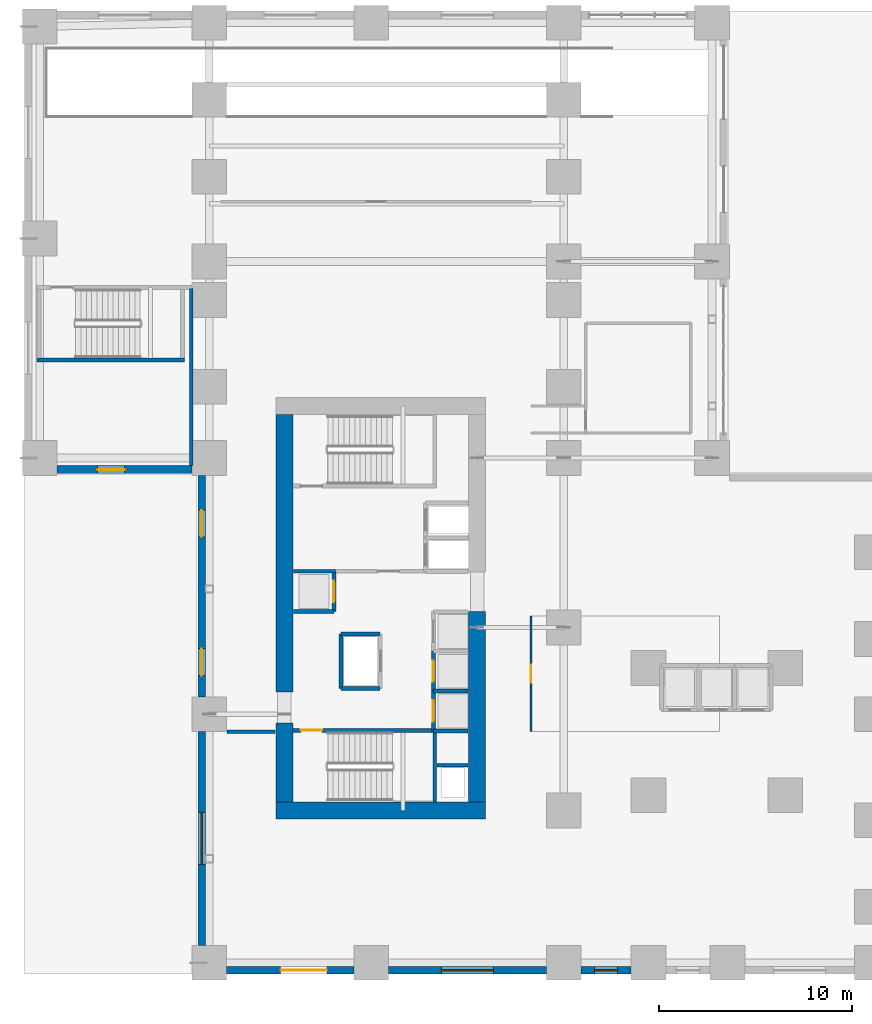
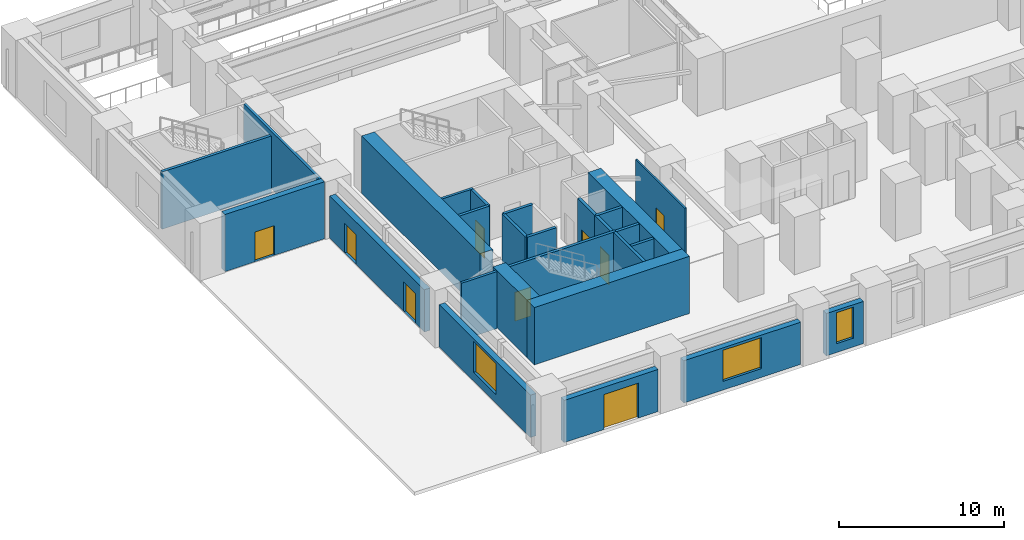
# One storey, part 13 of 23: 27 walls, 9 doors, 3 windows, 12 openings.
"""IFC4 building model written with IfcOpenShell, lengths in metres."""

from ifc_helpers import new_model, si_unit, direction, frame, frame_2d, origin, place, context, subcontext, project, spatial, rectangle, extrude, source, transform, mapped, material, layer, layer_set, type_object, element, fill, save


model = new_model("IFC4")

# Units and contexts
model_context = context("Model", 3, precision=1e-05, world=origin(), true_north=direction((0.0, 1.0)))
body_context = subcontext(model_context, "Body", "Model", "MODEL_VIEW")
ifc_project = project(units=[si_unit("LENGTHUNIT", "METRE"), si_unit("AREAUNIT", "SQUARE_METRE"), si_unit("VOLUMEUNIT", "CUBIC_METRE"), si_unit("PLANEANGLEUNIT", "RADIAN"), si_unit("MASSUNIT", "GRAM", prefix="KILO")], contexts=[model_context])

# Site, building, storey
site_placement = place(None, origin())
site = spatial("IfcSite", under=ifc_project, at=site_placement, CompositionType="ELEMENT")
building_placement = place(site_placement, origin())
building = spatial("IfcBuilding", under=site, at=building_placement, Name="Kharzan Plaza Tower", CompositionType="ELEMENT")
storey_placement = place(building_placement, origin())
storey = spatial("IfcBuildingStorey", under=building, at=storey_placement, Name="L00", CompositionType="ELEMENT", Elevation=0.0)

# Wall, opening, door
ifc_material_1 = material(Name="Fire-Rated Gypsum Board Partition", Category="gypsum")
ifc_layer_1 = layer(ifc_material_1, 0.125)
ifc_layer_set_1 = layer_set([ifc_layer_1], Name="Fire-Rated Gypsum Board Partition")
wall_type_1 = type_object("IfcWallType", Name="WL-INT-PART-125", PredefinedType="PARTITIONING", material=ifc_layer_set_1)
wall_1_placement = place(storey_placement, frame((17.300048828125, 12.60009765625, 0.0), z_axis=(0.0, 0.0, 1.0), x_axis=(0.0, 1.0, 0.0)))
wall_1 = element("IfcWall", 1, at=wall_1_placement, inside=storey, type_object=wall_type_1, Name="L00 Interior Partition L00-WLOB", PredefinedType="PARTITIONING", context=body_context, shape_type="SweptSolid", body=[
    extrude(rectangle(XDim=6.0, YDim=0.125, at=frame_2d((3.0, 0.0))), origin(), (0.0, 0.0, 1.0), 4.235107421875),
])
opening_1_placement = place(wall_1_placement, frame((2.52490234375, 0.0, 0.0)))
opening_1 = element("IfcOpeningElement", 2, at=opening_1_placement, cuts=wall_1, Name="Opening OD1", PredefinedType="OPENING", context=body_context, shape_type="SweptSolid", body=[
    extrude(rectangle(XDim=0.949951171875, YDim=2.14990234375, at=frame_2d((0.47509765625, 1.074951171875))), frame((0.0, 0.072509765625, 0.0), z_axis=(0.0, -1.0, 0.0), x_axis=(1.0, 0.0, 0.0)), (0.0, 0.0, 1.0), 0.14501953125),
])
ifc_material_2 = material(Name="Acoustic Solid-Core Stained Oak", Category="timber")
door_type_1 = type_object("IfcDoorType", Name="DR-OFF-SINGLE", OperationType="NOTDEFINED", PredefinedType="DOOR", material=ifc_material_2)
shared_shape_1 = source(origin(), body_context, "Body", "SweptSolid", [
    extrude(rectangle(XDim=0.949951171875, YDim=2.14990234375, at=frame_2d((0.47509765625, 1.074951171875))), frame((0.0, 0.02490234375, 0.0), z_axis=(0.0, -1.0, 0.0), x_axis=(1.0, 0.0, 0.0)), (0.0, 0.0, 1.0), 0.050048828125),
])
door_1_placement = place(opening_1_placement, origin())
door_1 = element("IfcDoor", 3, at=door_1_placement, inside=storey, type_object=door_type_1, Name="L00 Main Entrance Hall Door", OperationType="SINGLE_SWING_RIGHT", OverallHeight=2.14990234375, OverallWidth=0.949951171875, PredefinedType="DOOR", context=body_context, shape_type="MappedRepresentation", body=[
    mapped(shared_shape_1, transform((0.0, 0.0, 0.0), x_axis=(1.0, 0.0, 0.0), y_axis=(0.0, 1.0, 0.0), z_axis=(0.0, 0.0, 1.0))),
])
fill(opening_1, door_1)

ifc_material_3 = material(Name="Concrete C40/50", Category="concrete")
ifc_layer_2 = layer(ifc_material_3, 0.199951171875)
ifc_layer_set_2 = layer_set([ifc_layer_2], Name="Concrete C40/50")
wall_type_2 = type_object("IfcWallType", Name="WL-INT-SHAFT-200", PredefinedType="PARTITIONING", material=ifc_layer_set_2)
wall_2_placement = place(storey_placement, frame((12.22998046875, 12.6298828125, 0.0), z_axis=(0.0, 0.0, 1.0), x_axis=(0.0, 1.0, 0.0)))
wall_2 = element("IfcWall", 4, at=wall_2_placement, inside=storey, type_object=wall_type_2, Name="L00 Interior Partition SHF-PL-H1-W", PredefinedType="PARTITIONING", context=body_context, shape_type="SweptSolid", body=[
    extrude(rectangle(XDim=2.070068359375, YDim=0.199951171875, at=frame_2d((1.03515625, 0.0))), origin(), (0.0, 0.0, 1.0), 4.235107421875),
])
opening_2_placement = place(wall_2_placement, frame((0.485107421875, 0.0, 0.0)))
opening_2 = element("IfcOpeningElement", 5, at=opening_2_placement, cuts=wall_2, Name="Opening LD", PredefinedType="OPENING", context=body_context, shape_type="SweptSolid", body=[
    extrude(rectangle(XDim=1.10009765625, YDim=2.199951171875, at=frame_2d((0.550048828125, 1.10009765625))), frame((0.0, 0.10986328125, 0.0), z_axis=(0.0, -1.0, 0.0), x_axis=(1.0, 0.0, 0.0)), (0.0, 0.0, 1.0), 0.219970703125),
])
ifc_material_4 = material(Name="Brushed Stainless Steel", Category="steel")
door_type_2 = type_object("IfcDoorType", Name="DR-LIFT-SLIDE", OperationType="SLIDING_TO_LEFT", PredefinedType="DOOR", material=ifc_material_4)
shared_shape_2 = source(origin(), body_context, "Body", "SweptSolid", [
    extrude(rectangle(XDim=1.10009765625, YDim=2.199951171875, at=frame_2d((0.550048828125, 1.10009765625))), frame((0.0, 0.02490234375, 0.0), z_axis=(0.0, -1.0, 0.0), x_axis=(1.0, 0.0, 0.0)), (0.0, 0.0, 1.0), 0.050048828125),
])
door_2_placement = place(opening_2_placement, origin())
door_2 = element("IfcDoor", 6, at=door_2_placement, inside=storey, type_object=door_type_2, Name="L00 High-Rise Passenger Lift PL-H1 Sliding Landing Door", OperationType="SLIDING_TO_LEFT", OverallHeight=2.199951171875, OverallWidth=1.10009765625, PredefinedType="DOOR", context=body_context, shape_type="MappedRepresentation", body=[
    mapped(shared_shape_2, transform((0.0, 0.0, 0.0), x_axis=(1.0, 0.0, 0.0), y_axis=(0.0, 1.0, 0.0), z_axis=(0.0, 0.0, 1.0))),
])
fill(opening_2, door_2)

wall_3_placement = place(storey_placement, frame((12.22998046875, 14.699951171875, 0.0), z_axis=(0.0, 0.0, 1.0), x_axis=(0.0, 1.0, 0.0)))
wall_3 = element("IfcWall", 7, at=wall_3_placement, inside=storey, type_object=wall_type_2, Name="L00 Interior Partition SHF-PL-H2-W", PredefinedType="PARTITIONING", context=body_context, shape_type="SweptSolid", body=[
    extrude(rectangle(XDim=2.070068359375, YDim=0.199951171875, at=frame_2d((1.03515625, 0.0))), origin(), (0.0, 0.0, 1.0), 4.235107421875),
])
opening_3_placement = place(wall_3_placement, frame((0.485107421875, 0.0, 0.0)))
opening_3 = element("IfcOpeningElement", 8, at=opening_3_placement, cuts=wall_3, Name="Opening LD", PredefinedType="OPENING", context=body_context, shape_type="SweptSolid", body=[
    extrude(rectangle(XDim=1.10009765625, YDim=2.199951171875, at=frame_2d((0.550048828125, 1.10009765625))), frame((0.0, 0.10986328125, 0.0), z_axis=(0.0, -1.0, 0.0), x_axis=(1.0, 0.0, 0.0)), (0.0, 0.0, 1.0), 0.219970703125),
])
door_3_placement = place(opening_3_placement, origin())
door_3 = element("IfcDoor", 9, at=door_3_placement, inside=storey, type_object=door_type_2, Name="L00 High-Rise Passenger Lift PL-H2 Sliding Landing Door", OperationType="SLIDING_TO_LEFT", OverallHeight=2.199951171875, OverallWidth=1.10009765625, PredefinedType="DOOR", context=body_context, shape_type="MappedRepresentation", body=[
    mapped(shared_shape_2, transform((0.0, 0.0, 0.0), x_axis=(1.0, 0.0, 0.0), y_axis=(0.0, 1.0, 0.0), z_axis=(0.0, 0.0, 1.0))),
])
fill(opening_3, door_3)

wall_4_placement = place(storey_placement, frame((7.070068359375, 18.840087890625, 0.0), z_axis=(0.0, 0.0, 1.0), x_axis=(0.0, 1.0, 0.0)))
wall_4 = element("IfcWall", 10, at=wall_4_placement, inside=storey, type_object=wall_type_2, Name="L00 Interior Partition SHF-PL-H4-E", PredefinedType="PARTITIONING", context=body_context, shape_type="SweptSolid", body=[
    extrude(rectangle(XDim=2.059814453125, YDim=0.199951171875, at=frame_2d((1.02978515625, 0.0))), origin(), (0.0, 0.0, 1.0), 4.235107421875),
])
opening_4_placement = place(wall_4_placement, frame((0.47998046875, 0.0, 0.0)))
opening_4 = element("IfcOpeningElement", 11, at=opening_4_placement, cuts=wall_4, Name="Opening LD", PredefinedType="OPENING", context=body_context, shape_type="SweptSolid", body=[
    extrude(rectangle(XDim=1.10009765625, YDim=2.199951171875, at=frame_2d((0.550048828125, 1.10009765625))), frame((0.0, 0.10986328125, 0.0), z_axis=(0.0, -1.0, 0.0), x_axis=(1.0, 0.0, 0.0)), (0.0, 0.0, 1.0), 0.219970703125),
])
door_4_placement = place(opening_4_placement, origin())
door_4 = element("IfcDoor", 12, at=door_4_placement, inside=storey, type_object=door_type_2, Name="L00 High-Rise Passenger Lift PL-H4 Sliding Landing Door", OperationType="SLIDING_TO_LEFT", OverallHeight=2.199951171875, OverallWidth=1.10009765625, PredefinedType="DOOR", context=body_context, shape_type="MappedRepresentation", body=[
    mapped(shared_shape_2, transform((0.0, 0.0, 0.0), x_axis=(1.0, 0.0, 0.0), y_axis=(0.0, 1.0, 0.0), z_axis=(0.0, 0.0, 1.0))),
])
fill(opening_4, door_4)

ifc_layer_3 = layer(ifc_material_3, 0.39990234375)
ifc_layer_set_3 = layer_set([ifc_layer_3], Name="Concrete C40/50")
wall_type_3 = type_object("IfcWallType", Name="WL-POD-MAS-400", PredefinedType="SOLIDWALL", material=ifc_layer_set_3)
wall_5_placement = place(storey_placement, frame((-7.302001953125, 26.199951171875, 0.0), z_axis=(0.0, 0.0, 1.0), x_axis=(1.0, 0.0, 0.0)))
wall_5 = element("IfcWall", 13, at=wall_5_placement, inside=storey, type_object=wall_type_3, Name="L00 Masonry-Frame Exterior Wall 13", PredefinedType="SOLIDWALL", context=body_context, shape_type="SweptSolid", body=[
    extrude(rectangle(XDim=7.00390625, YDim=0.39990234375, at=frame_2d((3.501953125, 0.0))), origin(), (0.0, 0.0, 1.0), 4.235107421875),
])
opening_5_placement = place(wall_5_placement, frame((2.10205078125, 0.0, 0.0)))
opening_5 = element("IfcOpeningElement", 14, at=opening_5_placement, cuts=wall_5, Name="Opening ED4", PredefinedType="OPENING", context=body_context, shape_type="SweptSolid", body=[
    extrude(rectangle(XDim=1.39990234375, YDim=2.199951171875, at=frame_2d((0.699951171875, 1.10009765625))), frame((0.0, 0.2099609375, 0.0), z_axis=(0.0, -1.0, 0.0), x_axis=(1.0, 0.0, 0.0)), (0.0, 0.0, 1.0), 0.419921875),
])
ifc_material_5 = material(Name="Galvanized Acoustic Hollow Steel", Category="steel")
door_type_3 = type_object("IfcDoorType", Name="DR-EXT-EXIT-1400", OperationType="SINGLE_SWING_RIGHT", PredefinedType="DOOR", material=ifc_material_5)
shared_shape_3 = source(origin(), body_context, "Body", "SweptSolid", [
    extrude(rectangle(XDim=1.39990234375, YDim=2.199951171875, at=frame_2d((0.699951171875, 1.10009765625))), frame((0.0, 0.02490234375, 0.0), z_axis=(0.0, -1.0, 0.0), x_axis=(1.0, 0.0, 0.0)), (0.0, 0.0, 1.0), 0.050048828125),
])
door_5_placement = place(opening_5_placement, frame((1.39990234375, 0.0, 0.0), z_axis=(0.0, 0.0, 1.0), x_axis=(-1.0, 0.0, 0.0)))
door_5 = element("IfcDoor", 15, at=door_5_placement, inside=storey, type_object=door_type_3, Name="L00 Stair ST-4 Protected Forecourt Final Exit Door", OperationType="SINGLE_SWING_RIGHT", OverallHeight=2.199951171875, OverallWidth=1.39990234375, PredefinedType="DOOR", context=body_context, shape_type="MappedRepresentation", body=[
    mapped(shared_shape_3, transform((0.0, 0.0, 0.0), x_axis=(1.0, 0.0, 0.0), y_axis=(0.0, 1.0, 0.0), z_axis=(0.0, 0.0, 1.0))),
])
fill(opening_5, door_5)

# Wall, openings, doors
wall_6_placement = place(storey_placement, frame((0.199951171875, 25.902099609375, 0.0), z_axis=(0.0, 0.0, 1.0), x_axis=(0.0, -1.0, 0.0)))
wall_6 = element("IfcWall", 16, at=wall_6_placement, inside=storey, type_object=wall_type_3, Name="L00 Masonry-Frame Exterior Wall 14", PredefinedType="SOLIDWALL", context=body_context, shape_type="SweptSolid", body=[
    extrude(rectangle(XDim=11.504150390625, YDim=0.39990234375, at=frame_2d((5.751953125, 0.0))), origin(), (0.0, 0.0, 1.0), 3.135009765625),
])
opening_6_placement = place(wall_6_placement, frame((1.802001953125, 0.0, 0.0)))
opening_6 = element("IfcOpeningElement", 17, at=opening_6_placement, cuts=wall_6, Name="Opening ED4", PredefinedType="OPENING", context=body_context, shape_type="SweptSolid", body=[
    extrude(rectangle(XDim=1.39990234375, YDim=2.199951171875, at=frame_2d((0.699951171875, 1.10009765625))), frame((0.0, 0.2099609375, 0.0), z_axis=(0.0, -1.0, 0.0), x_axis=(1.0, 0.0, 0.0)), (0.0, 0.0, 1.0), 0.419921875),
])
opening_7_placement = place(wall_6_placement, frame((9.001953125, 0.0, 0.0)))
opening_7 = element("IfcOpeningElement", 18, at=opening_7_placement, cuts=wall_6, Name="Opening ED4", PredefinedType="OPENING", context=body_context, shape_type="SweptSolid", body=[
    extrude(rectangle(XDim=1.39990234375, YDim=2.199951171875, at=frame_2d((0.699951171875, 1.10009765625))), frame((0.0, 0.2099609375, 0.0), z_axis=(0.0, -1.0, 0.0), x_axis=(1.0, 0.0, 0.0)), (0.0, 0.0, 1.0), 0.419921875),
])
door_6_placement = place(opening_6_placement, frame((1.39990234375, 0.0, 0.0), z_axis=(0.0, 0.0, 1.0), x_axis=(-1.0, 0.0, 0.0)))
door_6 = element("IfcDoor", 19, at=door_6_placement, inside=storey, type_object=door_type_3, Name="L00 Stair ST-2 Protected West Final Exit Door", OperationType="SINGLE_SWING_RIGHT", OverallHeight=2.199951171875, OverallWidth=1.39990234375, PredefinedType="DOOR", context=body_context, shape_type="MappedRepresentation", body=[
    mapped(shared_shape_3, transform((0.0, 0.0, 0.0), x_axis=(1.0, 0.0, 0.0), y_axis=(0.0, 1.0, 0.0), z_axis=(0.0, 0.0, 1.0))),
])
fill(opening_6, door_6)
door_7_placement = place(opening_7_placement, frame((1.39990234375, 0.0, 0.0), z_axis=(0.0, 0.0, 1.0), x_axis=(-1.0, 0.0, 0.0)))
door_7 = element("IfcDoor", 20, at=door_7_placement, inside=storey, type_object=door_type_3, Name="L00 Stair ST-1 Protected West Final Exit Door", OperationType="SINGLE_SWING_RIGHT", OverallHeight=2.199951171875, OverallWidth=1.39990234375, PredefinedType="DOOR", context=body_context, shape_type="MappedRepresentation", body=[
    mapped(shared_shape_3, transform((0.0, 0.0, 0.0), x_axis=(1.0, 0.0, 0.0), y_axis=(0.0, 1.0, 0.0), z_axis=(0.0, 0.0, 1.0))),
])
fill(opening_7, door_7)

# Wall, opening, window
wall_7_placement = place(storey_placement, frame((0.199951171875, 12.60205078125, 0.0), z_axis=(0.0, 0.0, 1.0), x_axis=(0.0, -1.0, 0.0)))
wall_7 = element("IfcWall", 21, at=wall_7_placement, inside=storey, type_object=wall_type_3, Name="L00 Masonry-Frame Exterior Wall 15", PredefinedType="SOLIDWALL", context=body_context, shape_type="SweptSolid", body=[
    extrude(rectangle(XDim=11.10400390625, YDim=0.39990234375, at=frame_2d((5.552001953125, 0.0))), origin(), (0.0, 0.0, 1.0), 3.135009765625),
])
opening_8_placement = place(wall_7_placement, frame((4.201904296875, 0.0, 0.64990234375)))
opening_8 = element("IfcOpeningElement", 22, at=opening_8_placement, cuts=wall_7, Name="Opening W4", PredefinedType="OPENING", context=body_context, shape_type="SweptSolid", body=[
    extrude(rectangle(XDim=2.699951171875, YDim=2.304931640625, at=frame_2d((1.35009765625, 1.15234375))), frame((0.0, 0.2099609375, 0.0), z_axis=(0.0, -1.0, 0.0), x_axis=(1.0, 0.0, 0.0)), (0.0, 0.0, 1.0), 0.419921875),
])
ifc_material_6 = material(Name="Low-E Double Glazing", Category="glass")
window_type_1 = type_object("IfcWindowType", Name="WN-POD-2700x2600", PartitioningType="SINGLE_PANEL", PredefinedType="WINDOW", material=ifc_material_6)
shared_shape_4 = source(origin(), body_context, "Body", "SweptSolid", [
    extrude(rectangle(XDim=2.699951171875, YDim=2.304931640625, at=frame_2d((1.35009765625, 1.15234375))), frame((0.0, 0.030029296875, 0.0), z_axis=(0.0, -1.0, 0.0), x_axis=(1.0, 0.0, 0.0)), (0.0, 0.0, 1.0), 0.06005859375),
])
window_1_placement = place(opening_8_placement, origin())
window_1 = element("IfcWindow", 23, at=window_1_placement, inside=storey, type_object=window_type_1, Name="L00 Recessed Solar-Control Window 15-1", OverallHeight=2.304931640625, OverallWidth=2.699951171875, PartitioningType="SINGLE_PANEL", PredefinedType="WINDOW", context=body_context, shape_type="MappedRepresentation", body=[
    mapped(shared_shape_4, transform((0.0, 0.0, 0.0), x_axis=(1.0, 0.0, 0.0), y_axis=(0.0, 1.0, 0.0), z_axis=(0.0, 0.0, 1.0))),
])
fill(opening_8, window_1)

# Wall, opening, door
wall_8_placement = place(storey_placement, frame((1.498046875, 0.199951171875, 0.0), z_axis=(0.0, 0.0, 1.0), x_axis=(1.0, 0.0, 0.0)))
wall_8 = element("IfcWall", 24, at=wall_8_placement, inside=storey, type_object=wall_type_3, Name="L00 Masonry-Frame Exterior Wall 16", PredefinedType="SOLIDWALL", context=body_context, shape_type="SweptSolid", body=[
    extrude(rectangle(XDim=6.60400390625, YDim=0.39990234375, at=frame_2d((3.302001953125, 0.0))), origin(), (0.0, 0.0, 1.0), 3.135009765625),
])
opening_9_placement = place(wall_8_placement, frame((2.802001953125, 0.0, 0.0)))
opening_9 = element("IfcOpeningElement", 25, at=opening_9_placement, cuts=wall_8, Name="Opening ED1", PredefinedType="OPENING", context=body_context, shape_type="SweptSolid", body=[
    extrude(rectangle(XDim=2.39990234375, YDim=2.60009765625, at=frame_2d((1.199951171875, 1.300048828125))), frame((0.0, 0.2099609375, 0.0), z_axis=(0.0, -1.0, 0.0), x_axis=(1.0, 0.0, 0.0)), (0.0, 0.0, 1.0), 0.419921875),
])
ifc_material_7 = material(Name="Thermally Broken Anodized Bronze Aluminium", Category="aluminium")
door_type_4 = type_object("IfcDoorType", Name="DR-EXT-LOBBY-2400", OperationType="DOUBLE_SWING_LEFT", PredefinedType="DOOR", material=ifc_material_7)
shared_shape_5 = source(origin(), body_context, "Body", "SweptSolid", [
    extrude(rectangle(XDim=2.39990234375, YDim=2.60009765625, at=frame_2d((1.199951171875, 1.300048828125))), frame((0.0, 0.02490234375, 0.0), z_axis=(0.0, -1.0, 0.0), x_axis=(1.0, 0.0, 0.0)), (0.0, 0.0, 1.0), 0.050048828125),
])
door_8_placement = place(opening_9_placement, origin())
door_8 = element("IfcDoor", 26, at=door_8_placement, inside=storey, type_object=door_type_4, Name="L00 South Plaza Main Entrance Door", OperationType="DOUBLE_SWING_LEFT", OverallHeight=2.60009765625, OverallWidth=2.39990234375, PredefinedType="DOOR", context=body_context, shape_type="MappedRepresentation", body=[
    mapped(shared_shape_5, transform((0.0, 0.0, 0.0), x_axis=(1.0, 0.0, 0.0), y_axis=(0.0, 1.0, 0.0), z_axis=(0.0, 0.0, 1.0))),
])
fill(opening_9, door_8)

# Wall, opening, window
wall_9_placement = place(storey_placement, frame((9.89794921875, 0.199951171875, 0.0), z_axis=(0.0, 0.0, 1.0), x_axis=(1.0, 0.0, 0.0)))
wall_9 = element("IfcWall", 27, at=wall_9_placement, inside=storey, type_object=wall_type_3, Name="L00 Masonry-Frame Exterior Wall 17", PredefinedType="SOLIDWALL", context=body_context, shape_type="SweptSolid", body=[
    extrude(rectangle(XDim=8.2041015625, YDim=0.39990234375, at=frame_2d((4.10205078125, 0.0))), origin(), (0.0, 0.0, 1.0), 3.135009765625),
])
opening_10_placement = place(wall_9_placement, frame((2.751953125, 0.0, 0.64990234375)))
opening_10 = element("IfcOpeningElement", 28, at=opening_10_placement, cuts=wall_9, Name="Opening W4", PredefinedType="OPENING", context=body_context, shape_type="SweptSolid", body=[
    extrude(rectangle(XDim=2.699951171875, YDim=2.304931640625, at=frame_2d((1.35009765625, 1.15234375))), frame((0.0, 0.2099609375, 0.0), z_axis=(0.0, -1.0, 0.0), x_axis=(1.0, 0.0, 0.0)), (0.0, 0.0, 1.0), 0.419921875),
])
window_2_placement = place(opening_10_placement, origin())
window_2 = element("IfcWindow", 29, at=window_2_placement, inside=storey, type_object=window_type_1, Name="L00 Recessed Solar-Control Window 17-1", OverallHeight=2.304931640625, OverallWidth=2.699951171875, PartitioningType="SINGLE_PANEL", PredefinedType="WINDOW", context=body_context, shape_type="MappedRepresentation", body=[
    mapped(shared_shape_4, transform((0.0, 0.0, 0.0), x_axis=(1.0, 0.0, 0.0), y_axis=(0.0, 1.0, 0.0), z_axis=(0.0, 0.0, 1.0))),
])
fill(opening_10, window_2)

wall_10_placement = place(storey_placement, frame((19.89794921875, 0.199951171875, 0.0), z_axis=(0.0, 0.0, 1.0), x_axis=(1.0, 0.0, 0.0)))
wall_10 = element("IfcWall", 30, at=wall_10_placement, inside=storey, type_object=wall_type_3, Name="L00 Masonry-Frame Exterior Wall 18", PredefinedType="SOLIDWALL", context=body_context, shape_type="SweptSolid", body=[
    extrude(rectangle(XDim=2.60400390625, YDim=0.39990234375, at=frame_2d((1.302001953125, 0.0))), origin(), (0.0, 0.0, 1.0), 3.135009765625),
])
opening_11_placement = place(wall_10_placement, frame((0.701904296875, 0.0, 0.64990234375)))
opening_11 = element("IfcOpeningElement", 31, at=opening_11_placement, cuts=wall_10, Name="Opening W3", PredefinedType="OPENING", context=body_context, shape_type="SweptSolid", body=[
    extrude(rectangle(XDim=1.199951171875, YDim=2.304931640625, at=frame_2d((0.60009765625, 1.15234375))), frame((0.0, 0.2099609375, 0.0), z_axis=(0.0, -1.0, 0.0), x_axis=(1.0, 0.0, 0.0)), (0.0, 0.0, 1.0), 0.419921875),
])
window_type_2 = type_object("IfcWindowType", Name="WN-REC-1200x2100", PartitioningType="SINGLE_PANEL", PredefinedType="WINDOW", material=ifc_material_6)
shared_shape_6 = source(origin(), body_context, "Body", "SweptSolid", [
    extrude(rectangle(XDim=1.199951171875, YDim=2.304931640625, at=frame_2d((0.60009765625, 1.15234375))), frame((0.0, 0.030029296875, 0.0), z_axis=(0.0, -1.0, 0.0), x_axis=(1.0, 0.0, 0.0)), (0.0, 0.0, 1.0), 0.06005859375),
])
window_3_placement = place(opening_11_placement, origin())
window_3 = element("IfcWindow", 32, at=window_3_placement, inside=storey, type_object=window_type_2, Name="L00 Recessed Solar-Control Window 18-1", OverallHeight=2.304931640625, OverallWidth=1.199951171875, PartitioningType="SINGLE_PANEL", PredefinedType="WINDOW", context=body_context, shape_type="MappedRepresentation", body=[
    mapped(shared_shape_6, transform((0.0, 0.0, 0.0), x_axis=(1.0, 0.0, 0.0), y_axis=(0.0, 1.0, 0.0), z_axis=(0.0, 0.0, 1.0))),
])
fill(opening_11, window_3)

# Wall, opening, door
ifc_material_8 = material(Name="Concrete C50/60", Category="concrete")
ifc_layer_4 = layer(ifc_material_8, 0.199951171875)
ifc_layer_set_4 = layer_set([ifc_layer_4], Name="Concrete C50/60")
wall_type_4 = type_object("IfcWallType", Name="WL-SHAFT-RC200", PredefinedType="SHEAR", material=ifc_layer_set_4)
wall_11_placement = place(storey_placement, frame((4.951904296875, 12.655029296875, 0.0), z_axis=(0.0, 0.0, 1.0), x_axis=(1.0, 0.0, 0.0)))
wall_11 = element("IfcWall", 33, at=wall_11_placement, inside=storey, type_object=wall_type_4, Name="L00 Stair ST-1 North RC Shaft Wall", PredefinedType="SHEAR", context=body_context, shape_type="SweptSolid", body=[
    extrude(rectangle(XDim=7.453125, YDim=0.199951171875, at=frame_2d((3.7265625, 0.0))), origin(), (0.0, 0.0, 1.0), 4.25),
])
opening_12_placement = place(wall_11_placement, frame((0.39990234375, 0.0, 0.0)))
opening_12 = element("IfcOpeningElement", 34, at=opening_12_placement, cuts=wall_11, Name="Opening SD1", PredefinedType="OPENING", context=body_context, shape_type="SweptSolid", body=[
    extrude(rectangle(XDim=1.10009765625, YDim=2.14990234375, at=frame_2d((0.550048828125, 1.074951171875))), frame((0.0, 0.10986328125, 0.0), z_axis=(0.0, -1.0, 0.0), x_axis=(1.0, 0.0, 0.0)), (0.0, 0.0, 1.0), 0.219970703125),
])
ifc_material_9 = material(Name="Fire-Rated Hollow Galvanized Steel", Category="steel")
door_type_5 = type_object("IfcDoorType", Name="DR-STAIR-FD120", OperationType="NOTDEFINED", PredefinedType="DOOR", material=ifc_material_9)
shared_shape_7 = source(origin(), body_context, "Body", "SweptSolid", [
    extrude(rectangle(XDim=1.10009765625, YDim=2.14990234375, at=frame_2d((0.550048828125, 1.074951171875))), frame((0.0, 0.02490234375, 0.0), z_axis=(0.0, -1.0, 0.0), x_axis=(1.0, 0.0, 0.0)), (0.0, 0.0, 1.0), 0.050048828125),
])
door_9_placement = place(opening_12_placement, origin())
door_9 = element("IfcDoor", 35, at=door_9_placement, inside=storey, type_object=door_type_5, Name="L00 Stair ST-1 Fire Exit Door", OperationType="SINGLE_SWING_LEFT", OverallHeight=2.14990234375, OverallWidth=1.10009765625, PredefinedType="DOOR", context=body_context, shape_type="MappedRepresentation", body=[
    mapped(shared_shape_7, transform((0.0, 0.0, 0.0), x_axis=(1.0, 0.0, 0.0), y_axis=(0.0, 1.0, 0.0), z_axis=(0.0, 0.0, 1.0))),
])
fill(opening_12, door_9)

# Walls
ifc_material_10 = material(Name="Concrete C60/75", Category="concrete")
ifc_layer_5 = layer(ifc_material_10, 0.89990234375)
ifc_layer_set_5 = layer_set([ifc_layer_5], Name="Concrete C60/75")
wall_type_5 = type_object("IfcWallType", Name="WL-CORE-900", PredefinedType="SHEAR", material=ifc_layer_set_5)
shared_shape_8 = source(origin(), body_context, "Body", "SweptSolid", [
    extrude(rectangle(XDim=9.8701171875, YDim=0.89990234375, at=frame_2d((4.93505859375, 0.0))), origin(), (0.0, 0.0, 1.0), 4.25),
])
wall_12_placement = place(storey_placement, frame((14.5, 8.949951171875, 0.0), z_axis=(0.0, 0.0, 1.0), x_axis=(0.0, 1.0, 0.0)))
element("IfcWall", 36, at=wall_12_placement, inside=storey, type_object=wall_type_5, Name="L00 CORE-A east shear pier 1", PredefinedType="SHEAR", context=body_context, shape_type="MappedRepresentation", body=[
    mapped(shared_shape_8, transform((0.0, 0.0, 0.0), x_axis=(1.0, 0.0, 0.0), y_axis=(0.0, 1.0, 0.0), z_axis=(0.0, 0.0, 1.0))),
])
shared_shape_9 = source(origin(), body_context, "Body", "SweptSolid", [
    extrude(rectangle(XDim=10.89990234375, YDim=0.89990234375, at=frame_2d((5.449951171875, 0.0))), origin(), (0.0, 0.0, 1.0), 4.25),
])
wall_13_placement = place(storey_placement, frame((4.050048828125, 8.5, 0.0), z_axis=(0.0, 0.0, 1.0), x_axis=(1.0, 0.0, 0.0)))
element("IfcWall", 37, at=wall_13_placement, inside=storey, type_object=wall_type_5, Name="L00 CORE-A south RC shear wall", PredefinedType="SHEAR", context=body_context, shape_type="MappedRepresentation", body=[
    mapped(shared_shape_9, transform((0.0, 0.0, 0.0), x_axis=(1.0, 0.0, 0.0), y_axis=(0.0, 1.0, 0.0), z_axis=(0.0, 0.0, 1.0))),
])
shared_shape_10 = source(origin(), body_context, "Body", "SweptSolid", [
    extrude(rectangle(XDim=4.10009765625, YDim=0.89990234375, at=frame_2d((2.050048828125, 0.0))), origin(), (0.0, 0.0, 1.0), 4.25),
])
wall_14_placement = place(storey_placement, frame((4.5, 8.949951171875, 0.0), z_axis=(0.0, 0.0, 1.0), x_axis=(0.0, 1.0, 0.0)))
element("IfcWall", 38, at=wall_14_placement, inside=storey, type_object=wall_type_5, Name="L00 CORE-A west RC shear pier 1", PredefinedType="SHEAR", context=body_context, shape_type="MappedRepresentation", body=[
    mapped(shared_shape_10, transform((0.0, 0.0, 0.0), x_axis=(1.0, 0.0, 0.0), y_axis=(0.0, 1.0, 0.0), z_axis=(0.0, 0.0, 1.0))),
])
shared_shape_11 = source(origin(), body_context, "Body", "SweptSolid", [
    extrude(rectangle(XDim=14.400146484375, YDim=0.89990234375, at=frame_2d((7.2001953125, 0.0))), origin(), (0.0, 0.0, 1.0), 4.25),
])
wall_15_placement = place(storey_placement, frame((4.5, 14.64990234375, 0.0), z_axis=(0.0, 0.0, 1.0), x_axis=(0.0, 1.0, 0.0)))
element("IfcWall", 39, at=wall_15_placement, inside=storey, type_object=wall_type_5, Name="L00 CORE-A west RC shear pier 2", PredefinedType="SHEAR", context=body_context, shape_type="MappedRepresentation", body=[
    mapped(shared_shape_11, transform((0.0, 0.0, 0.0), x_axis=(1.0, 0.0, 0.0), y_axis=(0.0, 1.0, 0.0), z_axis=(0.0, 0.0, 1.0))),
])
ifc_layer_6 = layer(ifc_material_3, 0.179931640625)
ifc_layer_set_6 = layer_set([ifc_layer_6], Name="Concrete C40/50")
wall_type_6 = type_object("IfcWallType", Name="WL-INT-FIRE-180", PredefinedType="PARTITIONING", material=ifc_layer_set_6)
shared_shape_12 = source(origin(), body_context, "Body", "SweptSolid", [
    extrude(rectangle(XDim=2.169921875, YDim=0.179931640625, at=frame_2d((1.0849609375, 0.0))), origin(), (0.0, 0.0, 1.0), 4.235107421875),
])
wall_16_placement = place(storey_placement, frame((4.97998046875, 20.919921875, 0.0), z_axis=(0.0, 0.0, 1.0), x_axis=(1.0, 0.0, 0.0)))
element("IfcWall", 40, at=wall_16_placement, inside=storey, type_object=wall_type_6, Name="L00 Interior Partition CA-FF-SW", PredefinedType="PARTITIONING", context=body_context, shape_type="MappedRepresentation", body=[
    mapped(shared_shape_12, transform((0.0, 0.0, 0.0), x_axis=(1.0, 0.0, 0.0), y_axis=(0.0, 1.0, 0.0), z_axis=(0.0, 0.0, 1.0))),
])
shared_shape_13 = source(origin(), body_context, "Body", "SweptSolid", [
    extrude(rectangle(XDim=9.197998046875, YDim=0.179931640625, at=frame_2d((4.59912109375, 0.0))), origin(), (0.0, 0.0, 1.0), 4.235107421875),
])
wall_17_placement = place(storey_placement, frame((-0.35009765625, 26.402099609375, 0.0), z_axis=(0.0, 0.0, 1.0), x_axis=(0.0, 1.0, 0.0)))
element("IfcWall", 41, at=wall_17_placement, inside=storey, type_object=wall_type_6, Name="L00 Interior Partition L00-ST4EE", PredefinedType="PARTITIONING", context=body_context, shape_type="MappedRepresentation", body=[
    mapped(shared_shape_13, transform((0.0, 0.0, 0.0), x_axis=(1.0, 0.0, 0.0), y_axis=(0.0, 1.0, 0.0), z_axis=(0.0, 0.0, 1.0))),
])
shared_shape_14 = source(origin(), body_context, "Body", "SweptSolid", [
    extrude(rectangle(XDim=2.5, YDim=0.179931640625, at=frame_2d((1.25, 0.0))), origin(), (0.0, 0.0, 1.0), 4.235107421875),
])
wall_18_placement = place(storey_placement, frame((1.52001953125, 12.60009765625, 0.0), z_axis=(0.0, 0.0, 1.0), x_axis=(1.0, 0.0, 0.0)))
element("IfcWall", 42, at=wall_18_placement, inside=storey, type_object=wall_type_6, Name="L00 Interior Partition L00-WSTES", PredefinedType="PARTITIONING", context=body_context, shape_type="MappedRepresentation", body=[
    mapped(shared_shape_14, transform((0.0, 0.0, 0.0), x_axis=(1.0, 0.0, 0.0), y_axis=(0.0, 1.0, 0.0), z_axis=(0.0, 0.0, 1.0))),
])
shared_shape_15 = source(origin(), body_context, "Body", "SweptSolid", [
    extrude(rectangle(XDim=1.60009765625, YDim=0.199951171875, at=frame_2d((0.800048828125, 0.0))), origin(), (0.0, 0.0, 1.0), 4.235107421875),
])
wall_19_placement = place(storey_placement, frame((12.419921875, 10.85009765625, 0.0), z_axis=(0.0, 0.0, 1.0), x_axis=(1.0, 0.0, 0.0)))
element("IfcWall", 43, at=wall_19_placement, inside=storey, type_object=wall_type_2, Name="L00 Interior Partition CA-RSRA-N", PredefinedType="PARTITIONING", context=body_context, shape_type="MappedRepresentation", body=[
    mapped(shared_shape_15, transform((0.0, 0.0, 0.0), x_axis=(1.0, 0.0, 0.0), y_axis=(0.0, 1.0, 0.0), z_axis=(0.0, 0.0, 1.0))),
])
shared_shape_16 = source(origin(), body_context, "Body", "SweptSolid", [
    extrude(rectangle(XDim=1.7900390625, YDim=0.199951171875, at=frame_2d((0.89501953125, 0.0))), origin(), (0.0, 0.0, 1.0), 4.235107421875),
])
for number, where, z_axis, x_axis, name in (
    (44, (12.22998046875, 14.699951171875, 0.0), (0.0, 0.0, 1.0), (1.0, 0.0, 0.0), "L00 Interior Partition SHF-PL-H1-N"),
    (45, (12.22998046875, 12.6298828125, 0.0), (0.0, 0.0, 1.0), (1.0, 0.0, 0.0), "L00 Interior Partition SHF-PL-H1-S"),
):
    element("IfcWall", number, at=place(storey_placement, frame(where, z_axis=z_axis, x_axis=x_axis)), inside=storey, type_object=wall_type_2, Name=name, PredefinedType="PARTITIONING", context=body_context, shape_type="MappedRepresentation", body=[
        mapped(shared_shape_16, transform((0.0, 0.0, 0.0), x_axis=(1.0, 0.0, 0.0), y_axis=(0.0, 1.0, 0.0), z_axis=(0.0, 0.0, 1.0))),
    ])
shared_shape_17 = source(origin(), body_context, "Body", "SweptSolid", [
    extrude(rectangle(XDim=2.090087890625, YDim=0.199951171875, at=frame_2d((1.044921875, 0.0))), origin(), (0.0, 0.0, 1.0), 4.235107421875),
])
wall_20_placement = place(storey_placement, frame((4.97998046875, 18.840087890625, 0.0), z_axis=(0.0, 0.0, 1.0), x_axis=(1.0, 0.0, 0.0)))
element("IfcWall", 46, at=wall_20_placement, inside=storey, type_object=wall_type_2, Name="L00 Interior Partition SHF-PL-H4-S", PredefinedType="PARTITIONING", context=body_context, shape_type="MappedRepresentation", body=[
    mapped(shared_shape_17, transform((0.0, 0.0, 0.0), x_axis=(1.0, 0.0, 0.0), y_axis=(0.0, 1.0, 0.0), z_axis=(0.0, 0.0, 1.0))),
])
shared_shape_18 = source(origin(), body_context, "Body", "SweptSolid", [
    extrude(rectangle(XDim=2.0400390625, YDim=0.199951171875, at=frame_2d((1.02001953125, 0.0))), origin(), (0.0, 0.0, 1.0), 4.235107421875),
])
for number, where, z_axis, x_axis, name in (
    (47, (7.429931640625, 17.669921875, 0.0), (0.0, 0.0, 1.0), (1.0, 0.0, 0.0), "L00 Interior Partition SHF-SVL-1-N"),
    (48, (7.429931640625, 14.830078125, 0.0), (0.0, 0.0, 1.0), (1.0, 0.0, 0.0), "L00 Interior Partition SHF-SVL-1-S"),
):
    element("IfcWall", number, at=place(storey_placement, frame(where, z_axis=z_axis, x_axis=x_axis)), inside=storey, type_object=wall_type_2, Name=name, PredefinedType="PARTITIONING", context=body_context, shape_type="MappedRepresentation", body=[
        mapped(shared_shape_18, transform((0.0, 0.0, 0.0), x_axis=(1.0, 0.0, 0.0), y_axis=(0.0, 1.0, 0.0), z_axis=(0.0, 0.0, 1.0))),
    ])
shared_shape_19 = source(origin(), body_context, "Body", "SweptSolid", [
    extrude(rectangle(XDim=2.83984375, YDim=0.199951171875, at=frame_2d((1.419921875, 0.0))), origin(), (0.0, 0.0, 1.0), 4.235107421875),
])
wall_21_placement = place(storey_placement, frame((7.429931640625, 14.830078125, 0.0), z_axis=(0.0, 0.0, 1.0), x_axis=(0.0, 1.0, 0.0)))
element("IfcWall", 49, at=wall_21_placement, inside=storey, type_object=wall_type_2, Name="L00 Interior Partition SHF-SVL-1-W", PredefinedType="PARTITIONING", context=body_context, shape_type="MappedRepresentation", body=[
    mapped(shared_shape_19, transform((0.0, 0.0, 0.0), x_axis=(1.0, 0.0, 0.0), y_axis=(0.0, 1.0, 0.0), z_axis=(0.0, 0.0, 1.0))),
])
shared_shape_20 = source(origin(), body_context, "Body", "SweptSolid", [
    extrude(rectangle(XDim=3.60302734375, YDim=0.199951171875, at=frame_2d((1.801513671875, 0.0))), origin(), (0.0, 0.0, 1.0), 4.25),
])
wall_22_placement = place(storey_placement, frame((12.304931640625, 8.951904296875, 0.0), z_axis=(0.0, 0.0, 1.0), x_axis=(0.0, 1.0, 0.0)))
element("IfcWall", 50, at=wall_22_placement, inside=storey, type_object=wall_type_4, Name="L00 Stair ST-1 East RC Shaft Wall", PredefinedType="SHEAR", context=body_context, shape_type="MappedRepresentation", body=[
    mapped(shared_shape_20, transform((0.0, 0.0, 0.0), x_axis=(1.0, 0.0, 0.0), y_axis=(0.0, 1.0, 0.0), z_axis=(0.0, 0.0, 1.0))),
])
shared_shape_21 = source(origin(), body_context, "Body", "SweptSolid", [
    extrude(rectangle(XDim=7.655029296875, YDim=0.199951171875, at=frame_2d((3.82763671875, 0.0))), origin(), (0.0, 0.0, 1.0), 4.25),
])
wall_23_placement = place(storey_placement, frame((-8.35009765625, 31.89501953125, 0.0), z_axis=(0.0, 0.0, 1.0), x_axis=(1.0, 0.0, 0.0)))
element("IfcWall", 51, at=wall_23_placement, inside=storey, type_object=wall_type_4, Name="L00 Stair ST-4 South RC Shaft Wall", PredefinedType="SHEAR", context=body_context, shape_type="MappedRepresentation", body=[
    mapped(shared_shape_21, transform((0.0, 0.0, 0.0), x_axis=(1.0, 0.0, 0.0), y_axis=(0.0, 1.0, 0.0), z_axis=(0.0, 0.0, 1.0))),
])

save(model, "model.ifc")
